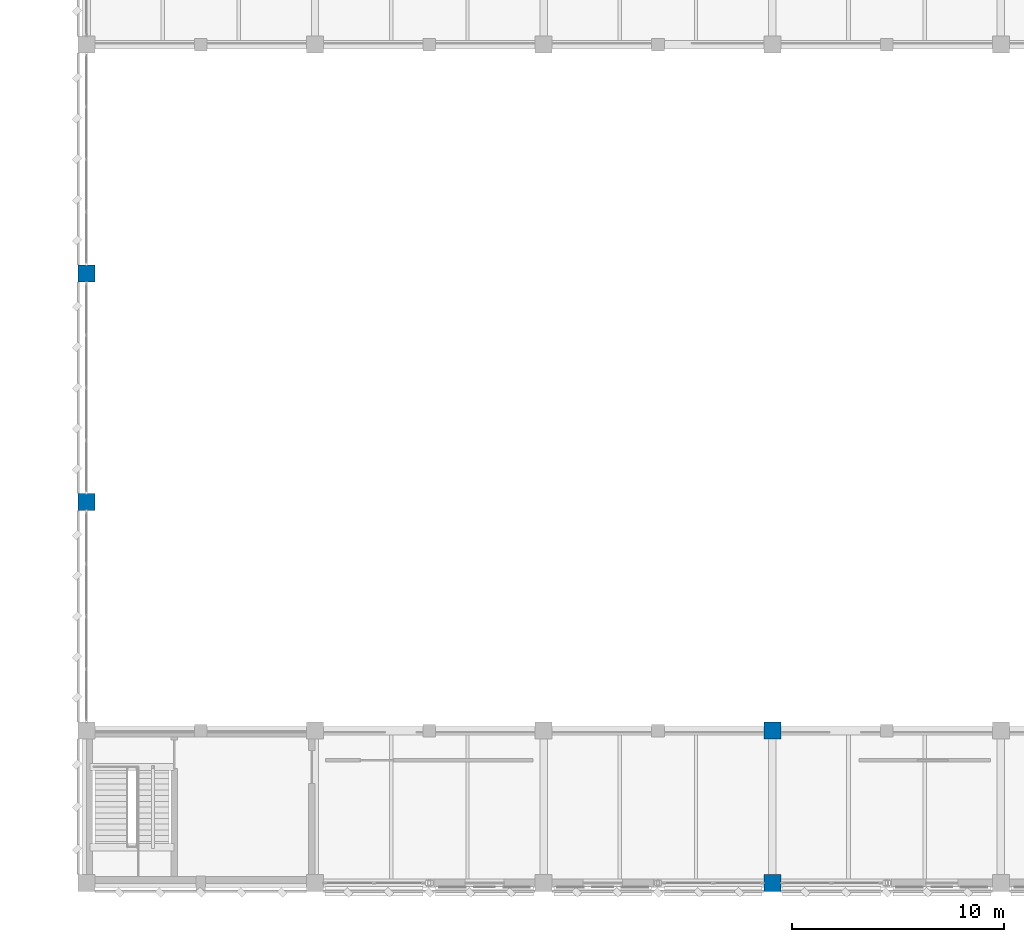
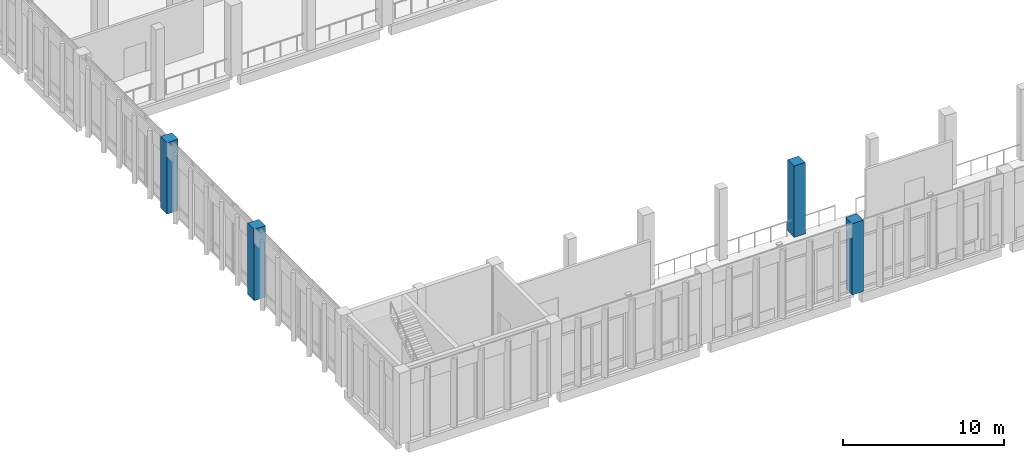
# One storey, part 2 of 180: 4 columns.
"""IFC4 building model written with IfcOpenShell, lengths in metres."""

from ifc_helpers import new_model, si_unit, direction, frame, origin, origin_2d, place, context, subcontext, project, spatial, rectangle, extrude, material, material_profile, profile_set, type_object, element, save


model = new_model("IFC4")

# Units and contexts
model_context = context("Model", 3, precision=1e-05, world=origin(), true_north=direction((0.0, 1.0)))
body_context = subcontext(model_context, "Body", "Model", "MODEL_VIEW")
ifc_project = project(units=[si_unit("LENGTHUNIT", "METRE"), si_unit("AREAUNIT", "SQUARE_METRE"), si_unit("VOLUMEUNIT", "CUBIC_METRE"), si_unit("PLANEANGLEUNIT", "RADIAN"), si_unit("MASSUNIT", "GRAM", prefix="KILO")], contexts=[model_context])

# Site, building, storey
site_placement = place(None, origin())
site = spatial("IfcSite", under=ifc_project, at=site_placement, CompositionType="ELEMENT")
building_placement = place(site_placement, origin())
building = spatial("IfcBuilding", under=site, at=building_placement, Name="Lusvemor Sports Hall", CompositionType="ELEMENT")
storey_placement = place(building_placement, frame((0.0, 0.0, 5.39990234375)))
storey = spatial("IfcBuildingStorey", under=building, at=storey_placement, Name="L01", CompositionType="ELEMENT", Elevation=5.39990234375)

# Columns
ifc_material = material(Name="Concrete C40/50", Category="concrete")
ifc_material_profile = material_profile(ifc_material, rectangle(XDim=0.800048828125, YDim=0.800048828125, at=origin_2d()), Name="RC800x800")
ifc_profile_set = profile_set([ifc_material_profile], Name="Concrete C40/50")
column_type = type_object("IfcColumnType", Name="COL_HALL_W", PredefinedType="COLUMN", material=ifc_profile_set)
for number, where, z_axis, x_axis, name in (
    (1, (0.0, 18.0, 0.0), (0.0, 0.0, 1.0), (1.0, 0.0, 0.0), "Column 1/C (L01)"),
    (2, (0.0, 28.800048828125, 0.0), (0.0, 0.0, 1.0), (1.0, 0.0, 0.0), "Column 1/D (L01)"),
    (3, (32.39990234375, 0.0, 0.0), (0.0, 0.0, 1.0), (1.0, 0.0, 0.0), "Column 4/A (L01)"),
    (4, (32.39990234375, 7.199951171875, 0.0), (0.0, 0.0, 1.0), (1.0, 0.0, 0.0), "Column 4/B (L01)"),
):
    element("IfcColumn", number, at=place(storey_placement, frame(where, z_axis=z_axis, x_axis=x_axis)), inside=storey, type_object=column_type, Name=name, PredefinedType="COLUMN", context=body_context, shape_type="SweptSolid", body=[
        extrude(rectangle(XDim=0.800048828125, YDim=0.800048828125, at=origin_2d()), origin(), (0.0, 0.0, 1.0), 5.400146484375),
    ])

save(model, "model.ifc")
